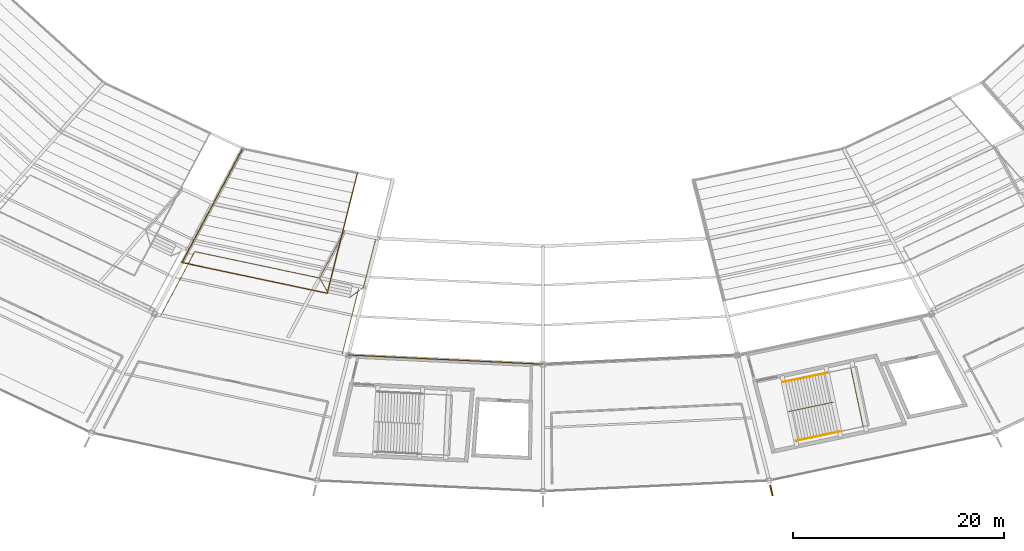
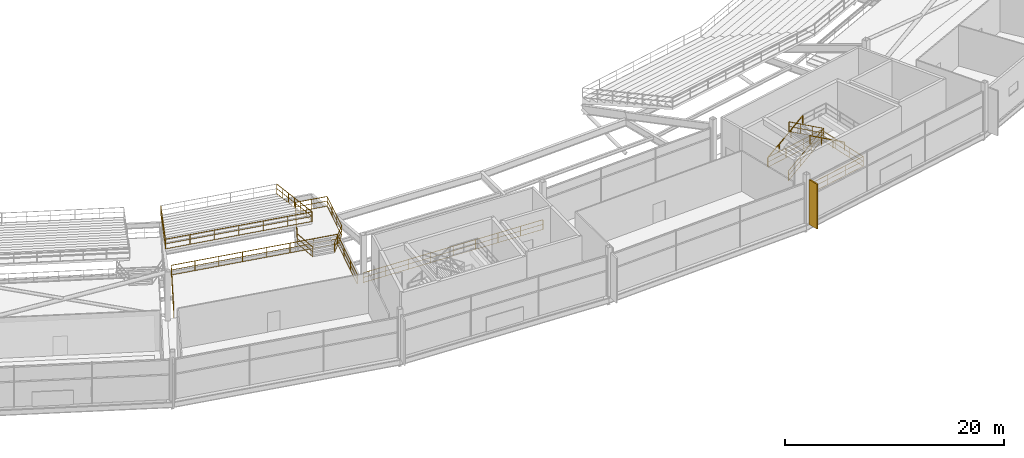
# One storey, part 172 of 186: 10 railings, 1 shading device.
"""IFC4 building model written with IfcOpenShell, lengths in metres."""

from ifc_helpers import new_model, si_unit, direction, frame, origin, origin_2d, place, context, subcontext, project, spatial, rectangle, extrude, material, type_object, element, save


model = new_model("IFC4")

# Units and contexts
model_context = context("Model", 3, precision=1e-05, world=origin(), true_north=direction((0.0, 1.0)))
body_context = subcontext(model_context, "Body", "Model", "MODEL_VIEW")
ifc_project = project(units=[si_unit("LENGTHUNIT", "METRE"), si_unit("AREAUNIT", "SQUARE_METRE"), si_unit("VOLUMEUNIT", "CUBIC_METRE"), si_unit("PLANEANGLEUNIT", "RADIAN"), si_unit("MASSUNIT", "GRAM", prefix="KILO")], contexts=[model_context])

# Site, building, storey
site_placement = place(None, origin())
site = spatial("IfcSite", under=ifc_project, at=site_placement, CompositionType="ELEMENT")
building_placement = place(site_placement, origin())
building = spatial("IfcBuilding", under=site, at=building_placement, Name="Kazemori Nagisa Stadium", CompositionType="ELEMENT")
storey_placement = place(building_placement, frame((0.0, 0.0, 20.39990234375)))
storey = spatial("IfcBuildingStorey", under=building, at=storey_placement, Name="L04", CompositionType="ELEMENT", Elevation=20.39990234375)

# Shading device
ifc_material_1 = material(Name="Aluminium 6063-T5 anodised", Category="aluminium")
shading_device_type = type_object("IfcShadingDeviceType", Name="Fin_FN03", PredefinedType="USERDEFINED", material=ifc_material_1)
shading_device_placement = place(storey_placement, frame((144.64013671875, 16.08203125, 0.0), z_axis=(0.0, 0.0, 1.0), x_axis=(0.222520933954, -0.974927912182, 0.0)))
element("IfcShadingDevice", 1, at=shading_device_placement, inside=storey, type_object=shading_device_type, Name="Aerodynamic wave shading fin L04-23", ObjectType="FIN", PredefinedType="USERDEFINED", context=body_context, shape_type="SweptSolid", body=[
    extrude(rectangle(XDim=1.050048828125, YDim=0.139892578125, at=origin_2d()), origin(), (0.0, 0.0, 1.0), 5.0),
])

# Railings
ifc_material_2 = material(Name="Laminated safety glass and stainless steel SUS304", Category="steel")
railing_type_1 = type_object("IfcRailingType", Name="Rail_BAL", PredefinedType="BALUSTRADE", material=ifc_material_2)
railing_1_placement = place(storey_placement, frame((86.77490234375, 32.676513671875, 0.0)))
element("IfcRailing", 2, at=railing_1_placement, inside=storey, type_object=railing_type_1, Name="Upper vomitory lobby balustrade B20", PredefinedType="BALUSTRADE", context=body_context, shape_type="SweptSolid", body=[
    extrude(rectangle(XDim=0.050048828125, YDim=0.050048828125, at=origin_2d()), frame((0.0, 0.0, 1.09521484375), z_axis=(0.46965739608, 0.882848758456, 0.0), x_axis=(-0.882848758456, 0.46965739608, 0.0)), (0.0, 0.0, 1.0), 6.835693359375),
    extrude(rectangle(XDim=0.03759765625, YDim=0.03759765625, at=origin_2d()), frame((0.0, 0.0, 0.58251953125), z_axis=(0.46965739608, 0.882848758456, 0.0), x_axis=(-0.882848758456, 0.46965739608, 0.0)), (0.0, 0.0, 1.0), 6.835693359375),
    extrude(rectangle(XDim=0.03759765625, YDim=0.03759765625, at=origin_2d()), frame((0.0, 0.0, 0.02490234375), z_axis=(0.46965739608, 0.882848758456, 0.0), x_axis=(-0.882848758456, 0.46965739608, 0.0)), (0.0, 0.0, 1.0), 6.835693359375),
    extrude(rectangle(XDim=0.050048828125, YDim=0.050048828125, at=origin_2d()), frame((3.21044921875, 6.034912109375, 1.09521484375), z_axis=(0.978342909106, -0.206990705592, 0.0), x_axis=(0.206990705592, 0.978342909106, 0.0)), (0.0, 0.0, 1.0), 15.952392578125),
    extrude(rectangle(XDim=0.03759765625, YDim=0.03759765625, at=origin_2d()), frame((3.21044921875, 6.034912109375, 0.58251953125), z_axis=(0.978342909106, -0.206990705592, 0.0), x_axis=(0.206990705592, 0.978342909106, 0.0)), (0.0, 0.0, 1.0), 15.952392578125),
    extrude(rectangle(XDim=0.03759765625, YDim=0.03759765625, at=origin_2d()), frame((3.21044921875, 6.034912109375, 0.02490234375), z_axis=(0.978342909106, -0.206990705592, 0.0), x_axis=(0.206990705592, 0.978342909106, 0.0)), (0.0, 0.0, 1.0), 15.952392578125),
    extrude(rectangle(XDim=0.050048828125, YDim=0.050048828125, at=origin_2d()), frame((18.8173828125, 2.73291015625, 1.09521484375), z_axis=(-0.244492627854, -0.969651151149, 0.0), x_axis=(0.969651151149, -0.244492627854, 0.0)), (0.0, 0.0, 1.0), 6.573486328125),
    extrude(rectangle(XDim=0.03759765625, YDim=0.03759765625, at=origin_2d()), frame((18.8173828125, 2.73291015625, 0.58251953125), z_axis=(-0.244492627854, -0.969651151149, 0.0), x_axis=(0.969651151149, -0.244492627854, 0.0)), (0.0, 0.0, 1.0), 6.573486328125),
    extrude(rectangle(XDim=0.03759765625, YDim=0.03759765625, at=origin_2d()), frame((18.8173828125, 2.73291015625, 0.02490234375), z_axis=(-0.244492627854, -0.969651151149, 0.0), x_axis=(0.969651151149, -0.244492627854, 0.0)), (0.0, 0.0, 1.0), 6.573486328125),
    extrude(rectangle(XDim=0.044921875, YDim=0.044921875, at=origin_2d()), origin(), (0.0, 0.0, 1.0), 1.070068359375),
    extrude(rectangle(XDim=0.044921875, YDim=0.044921875, at=origin_2d()), frame((1.070068359375, 2.01171875, 0.0)), (0.0, 0.0, 1.0), 1.070068359375),
    extrude(rectangle(XDim=0.044921875, YDim=0.044921875, at=origin_2d()), frame((2.140380859375, 4.023193359375, 0.0)), (0.0, 0.0, 1.0), 1.070068359375),
    extrude(rectangle(XDim=0.044921875, YDim=0.044921875, at=origin_2d()), frame((3.21044921875, 6.034912109375, 0.0)), (0.0, 0.0, 1.0), 1.070068359375),
    extrude(rectangle(XDim=0.044921875, YDim=0.044921875, at=origin_2d()), frame((5.43994140625, 5.563232421875, 0.0)), (0.0, 0.0, 1.0), 1.070068359375),
    extrude(rectangle(XDim=0.044921875, YDim=0.044921875, at=origin_2d()), frame((7.669677734375, 5.091552734375, 0.0)), (0.0, 0.0, 1.0), 1.070068359375),
    extrude(rectangle(XDim=0.044921875, YDim=0.044921875, at=origin_2d()), frame((9.899169921875, 4.619873046875, 0.0)), (0.0, 0.0, 1.0), 1.070068359375),
    extrude(rectangle(XDim=0.044921875, YDim=0.044921875, at=origin_2d()), frame((12.128662109375, 4.14794921875, 0.0)), (0.0, 0.0, 1.0), 1.070068359375),
    extrude(rectangle(XDim=0.044921875, YDim=0.044921875, at=origin_2d()), frame((14.358154296875, 3.67626953125, 0.0)), (0.0, 0.0, 1.0), 1.070068359375),
    extrude(rectangle(XDim=0.044921875, YDim=0.044921875, at=origin_2d()), frame((16.587890625, 3.20458984375, 0.0)), (0.0, 0.0, 1.0), 1.070068359375),
    extrude(rectangle(XDim=0.044921875, YDim=0.044921875, at=origin_2d()), frame((18.8173828125, 2.73291015625, 0.0)), (0.0, 0.0, 1.0), 1.070068359375),
    extrude(rectangle(XDim=0.044921875, YDim=0.044921875, at=origin_2d()), frame((18.28173828125, 0.608154296875, 0.0)), (0.0, 0.0, 1.0), 1.070068359375),
    extrude(rectangle(XDim=0.044921875, YDim=0.044921875, at=origin_2d()), frame((17.745849609375, -1.516357421875, 0.0)), (0.0, 0.0, 1.0), 1.070068359375),
    extrude(rectangle(XDim=0.044921875, YDim=0.044921875, at=origin_2d()), frame((17.210205078125, -3.64111328125, 0.0)), (0.0, 0.0, 1.0), 1.070068359375),
])
railing_2_placement = place(storey_placement, frame((104.572265625, 28.911376953125, 0.0)))
element("IfcRailing", 3, at=railing_2_placement, inside=storey, type_object=railing_type_1, Name="Upper concourse balustrade L04-B21", PredefinedType="BALUSTRADE", context=body_context, shape_type="SweptSolid", body=[
    extrude(rectangle(XDim=0.050048828125, YDim=0.050048828125, at=origin_2d()), frame((0.0, 0.0, 1.09521484375), z_axis=(0.9988839804, -0.047231278829, 0.0), x_axis=(0.047231278829, 0.9988839804, 0.0)), (0.0, 0.0, 1.0), 18.4482421875),
    extrude(rectangle(XDim=0.03759765625, YDim=0.03759765625, at=origin_2d()), frame((0.0, 0.0, 0.58251953125), z_axis=(0.9988839804, -0.047231278829, 0.0), x_axis=(0.047231278829, 0.9988839804, 0.0)), (0.0, 0.0, 1.0), 18.4482421875),
    extrude(rectangle(XDim=0.03759765625, YDim=0.03759765625, at=origin_2d()), frame((0.0, 0.0, 0.02490234375), z_axis=(0.9988839804, -0.047231278829, 0.0), x_axis=(0.047231278829, 0.9988839804, 0.0)), (0.0, 0.0, 1.0), 18.4482421875),
    extrude(rectangle(XDim=0.044921875, YDim=0.044921875, at=origin_2d()), origin(), (0.0, 0.0, 1.0), 1.070068359375),
    extrude(rectangle(XDim=0.044921875, YDim=0.044921875, at=origin_2d()), frame((2.303466796875, -0.10888671875, 0.0)), (0.0, 0.0, 1.0), 1.070068359375),
    extrude(rectangle(XDim=0.044921875, YDim=0.044921875, at=origin_2d()), frame((4.60693359375, -0.2177734375, 0.0)), (0.0, 0.0, 1.0), 1.070068359375),
    extrude(rectangle(XDim=0.044921875, YDim=0.044921875, at=origin_2d()), frame((6.910400390625, -0.32666015625, 0.0)), (0.0, 0.0, 1.0), 1.070068359375),
    extrude(rectangle(XDim=0.044921875, YDim=0.044921875, at=origin_2d()), frame((9.2138671875, -0.435546875, 0.0)), (0.0, 0.0, 1.0), 1.070068359375),
    extrude(rectangle(XDim=0.044921875, YDim=0.044921875, at=origin_2d()), frame((11.517333984375, -0.544677734375, 0.0)), (0.0, 0.0, 1.0), 1.070068359375),
    extrude(rectangle(XDim=0.044921875, YDim=0.044921875, at=origin_2d()), frame((13.82080078125, -0.653564453125, 0.0)), (0.0, 0.0, 1.0), 1.070068359375),
    extrude(rectangle(XDim=0.044921875, YDim=0.044921875, at=origin_2d()), frame((16.124267578125, -0.762451171875, 0.0)), (0.0, 0.0, 1.0), 1.070068359375),
    extrude(rectangle(XDim=0.044921875, YDim=0.044921875, at=origin_2d()), frame((18.427734375, -0.871337890625, 0.0)), (0.0, 0.0, 1.0), 1.070068359375),
])
ifc_material_3 = material(Name="Galvanised powder-coated steel", Category="steel")
railing_type_2 = type_object("IfcRailingType", Name="Rail_GUARD", PredefinedType="GUARDRAIL", material=ifc_material_3)
railing_3_placement = place(storey_placement, frame((145.77685546875, 26.353271484375, 0.0)))
element("IfcRailing", 4, at=railing_3_placement, inside=storey, type_object=railing_type_2, Name="Stair well perimeter guard ST06-L04", PredefinedType="GUARDRAIL", context=body_context, shape_type="SweptSolid", body=[
    extrude(rectangle(XDim=0.050048828125, YDim=0.050048828125, at=origin_2d()), frame((0.0, 0.0, 1.09521484375), z_axis=(0.978352034103, 0.20694757154, 0.0), x_axis=(-0.20694757154, 0.978352034103, 0.0)), (0.0, 0.0, 1.0), 6.525146484375),
    extrude(rectangle(XDim=0.03759765625, YDim=0.03759765625, at=origin_2d()), frame((0.0, 0.0, 0.58251953125), z_axis=(0.978352034103, 0.20694757154, 0.0), x_axis=(-0.20694757154, 0.978352034103, 0.0)), (0.0, 0.0, 1.0), 6.525146484375),
    extrude(rectangle(XDim=0.03759765625, YDim=0.03759765625, at=origin_2d()), frame((0.0, 0.0, 0.02490234375), z_axis=(0.978352034103, 0.20694757154, 0.0), x_axis=(-0.20694757154, 0.978352034103, 0.0)), (0.0, 0.0, 1.0), 6.525146484375),
    extrude(rectangle(XDim=0.050048828125, YDim=0.050048828125, at=origin_2d()), frame((6.3837890625, 1.350341796875, 1.09521484375), z_axis=(0.206968840618, -0.978347534884, 0.0), x_axis=(0.978347534884, 0.206968840618, 0.0)), (0.0, 0.0, 1.0), 5.699951171875),
    extrude(rectangle(XDim=0.03759765625, YDim=0.03759765625, at=origin_2d()), frame((6.3837890625, 1.350341796875, 0.58251953125), z_axis=(0.206968840618, -0.978347534884, 0.0), x_axis=(0.978347534884, 0.206968840618, 0.0)), (0.0, 0.0, 1.0), 5.699951171875),
    extrude(rectangle(XDim=0.03759765625, YDim=0.03759765625, at=origin_2d()), frame((6.3837890625, 1.350341796875, 0.02490234375), z_axis=(0.206968840618, -0.978347534884, 0.0), x_axis=(0.978347534884, 0.206968840618, 0.0)), (0.0, 0.0, 1.0), 5.699951171875),
    extrude(rectangle(XDim=0.050048828125, YDim=0.050048828125, at=origin_2d()), frame((7.5634765625, -4.22607421875, 1.09521484375), z_axis=(-0.978342854937, -0.206990961621, 0.0), x_axis=(0.206990961621, -0.978342854937, 0.0)), (0.0, 0.0, 1.0), 6.52490234375),
    extrude(rectangle(XDim=0.03759765625, YDim=0.03759765625, at=origin_2d()), frame((7.5634765625, -4.22607421875, 0.58251953125), z_axis=(-0.978342854937, -0.206990961621, 0.0), x_axis=(0.206990961621, -0.978342854937, 0.0)), (0.0, 0.0, 1.0), 6.52490234375),
    extrude(rectangle(XDim=0.03759765625, YDim=0.03759765625, at=origin_2d()), frame((7.5634765625, -4.22607421875, 0.02490234375), z_axis=(-0.978342854937, -0.206990961621, 0.0), x_axis=(0.206990961621, -0.978342854937, 0.0)), (0.0, 0.0, 1.0), 6.52490234375),
    extrude(rectangle(XDim=0.044921875, YDim=0.044921875, at=origin_2d()), origin(), (0.0, 0.0, 1.0), 1.070068359375),
    extrude(rectangle(XDim=0.044921875, YDim=0.044921875, at=origin_2d()), frame((2.1279296875, 0.4501953125, 0.0)), (0.0, 0.0, 1.0), 1.070068359375),
    extrude(rectangle(XDim=0.044921875, YDim=0.044921875, at=origin_2d()), frame((4.255859375, 0.900146484375, 0.0)), (0.0, 0.0, 1.0), 1.070068359375),
    extrude(rectangle(XDim=0.044921875, YDim=0.044921875, at=origin_2d()), frame((6.3837890625, 1.350341796875, 0.0)), (0.0, 0.0, 1.0), 1.070068359375),
    extrude(rectangle(XDim=0.044921875, YDim=0.044921875, at=origin_2d()), frame((6.777099609375, -0.508544921875, 0.0)), (0.0, 0.0, 1.0), 1.070068359375),
    extrude(rectangle(XDim=0.044921875, YDim=0.044921875, at=origin_2d()), frame((7.170166015625, -2.3671875, 0.0)), (0.0, 0.0, 1.0), 1.070068359375),
    extrude(rectangle(XDim=0.044921875, YDim=0.044921875, at=origin_2d()), frame((7.5634765625, -4.22607421875, 0.0)), (0.0, 0.0, 1.0), 1.070068359375),
    extrude(rectangle(XDim=0.044921875, YDim=0.044921875, at=origin_2d()), frame((5.435546875, -4.67626953125, 0.0)), (0.0, 0.0, 1.0), 1.070068359375),
    extrude(rectangle(XDim=0.044921875, YDim=0.044921875, at=origin_2d()), frame((3.307861328125, -5.12646484375, 0.0)), (0.0, 0.0, 1.0), 1.070068359375),
    extrude(rectangle(XDim=0.044921875, YDim=0.044921875, at=origin_2d()), frame((1.179931640625, -5.57666015625, 0.0)), (0.0, 0.0, 1.0), 1.070068359375),
])
railing_4_placement = place(storey_placement, frame((146.28857421875, 23.54833984375, 0.0)))
element("IfcRailing", 5, at=railing_4_placement, inside=storey, type_object=railing_type_2, Name="Stair central guard ST06-L04", PredefinedType="GUARDRAIL", context=body_context, shape_type="SweptSolid", body=[
    extrude(rectangle(XDim=0.050048828125, YDim=0.050048828125, at=origin_2d()), frame((0.0, 0.0, 1.09521484375), z_axis=(0.828150120123, 0.175225116294, 0.532412938573), x_axis=(-0.207003271495, 0.978340250419, 0.0)), (0.0, 0.0, 1.0), 5.109130859375),
    extrude(rectangle(XDim=0.03759765625, YDim=0.03759765625, at=origin_2d()), frame((0.0, 0.0, 0.58251953125), z_axis=(0.828150120123, 0.175225116294, 0.532412938573), x_axis=(-0.207003271495, 0.978340250419, 0.0)), (0.0, 0.0, 1.0), 5.109130859375),
    extrude(rectangle(XDim=0.03759765625, YDim=0.03759765625, at=origin_2d()), frame((0.0, 0.0, 0.02490234375), z_axis=(0.828150120123, 0.175225116294, 0.532412938573), x_axis=(-0.207003271495, 0.978340250419, 0.0)), (0.0, 0.0, 1.0), 5.109130859375),
    extrude(rectangle(XDim=0.050048828125, YDim=0.050048828125, at=origin_2d()), frame((4.231201171875, 0.895263671875, 3.8154296875), z_axis=(-0.823751834377, -0.174280339305, 0.539499099806), x_axis=(0.206987174116, -0.978343656264, 0.0)), (0.0, 0.0, 1.0), 5.041748046875),
    extrude(rectangle(XDim=0.03759765625, YDim=0.03759765625, at=origin_2d()), frame((4.231201171875, 0.895263671875, 3.302734375), z_axis=(-0.823751834377, -0.174280339305, 0.539499099806), x_axis=(0.206987174116, -0.978343656264, 0.0)), (0.0, 0.0, 1.0), 5.041748046875),
    extrude(rectangle(XDim=0.03759765625, YDim=0.03759765625, at=origin_2d()), frame((4.231201171875, 0.895263671875, 2.7451171875), z_axis=(-0.823751834377, -0.174280339305, 0.539499099806), x_axis=(0.206987174116, -0.978343656264, 0.0)), (0.0, 0.0, 1.0), 5.041748046875),
    extrude(rectangle(XDim=0.044921875, YDim=0.044921875, at=origin_2d()), origin(), (0.0, 0.0, 1.0), 1.070068359375),
    extrude(rectangle(XDim=0.044921875, YDim=0.044921875, at=origin_2d()), frame((1.410400390625, 0.29833984375, 0.90673828125)), (0.0, 0.0, 1.0), 1.070068359375),
    extrude(rectangle(XDim=0.044921875, YDim=0.044921875, at=origin_2d()), frame((2.82080078125, 0.596923828125, 1.8134765625)), (0.0, 0.0, 1.0), 1.070068359375),
    extrude(rectangle(XDim=0.044921875, YDim=0.044921875, at=origin_2d()), frame((4.231201171875, 0.895263671875, 2.72021484375)), (0.0, 0.0, 1.0), 1.070068359375),
    extrude(rectangle(XDim=0.044921875, YDim=0.044921875, at=origin_2d()), frame((2.846923828125, 0.602294921875, 3.626953125)), (0.0, 0.0, 1.0), 1.070068359375),
    extrude(rectangle(XDim=0.044921875, YDim=0.044921875, at=origin_2d()), frame((1.46240234375, 0.3095703125, 4.533447265625)), (0.0, 0.0, 1.0), 1.070068359375),
    extrude(rectangle(XDim=0.044921875, YDim=0.044921875, at=origin_2d()), frame((0.078125, 0.0166015625, 5.440185546875)), (0.0, 0.0, 1.0), 1.070068359375),
])
railing_5_placement = place(storey_placement, frame((102.6259765625, 34.80029296875, 0.0)))
element("IfcRailing", 6, at=railing_5_placement, inside=storey, type_object=railing_type_2, Name="Vomitory upper portal guard VU09", PredefinedType="GUARDRAIL", context=body_context, shape_type="SweptSolid", body=[
    extrude(rectangle(XDim=0.050048828125, YDim=0.050048828125, at=origin_2d()), frame((0.0, 0.0, 1.09521484375), z_axis=(-0.435199093202, 0.763221301655, 0.477592916589), x_axis=(-0.868697465409, -0.495343026188, 0.0)), (0.0, 0.0, 1.0), 1.8427734375),
    extrude(rectangle(XDim=0.03759765625, YDim=0.03759765625, at=origin_2d()), frame((0.0, 0.0, 0.58251953125), z_axis=(-0.435199093202, 0.763221301655, 0.477592916589), x_axis=(-0.868697465409, -0.495343026188, 0.0)), (0.0, 0.0, 1.0), 1.8427734375),
    extrude(rectangle(XDim=0.03759765625, YDim=0.03759765625, at=origin_2d()), frame((0.0, 0.0, 0.02490234375), z_axis=(-0.435199093202, 0.763221301655, 0.477592916589), x_axis=(-0.868697465409, -0.495343026188, 0.0)), (0.0, 0.0, 1.0), 1.8427734375),
    extrude(rectangle(XDim=0.050048828125, YDim=0.050048828125, at=origin_2d()), frame((-0.802001953125, 1.406494140625, 1.97509765625), z_axis=(0.469650127636, 0.882852625081, 0.0), x_axis=(-0.882852625081, 0.469650127636, 0.0)), (0.0, 0.0, 1.0), 5.0126953125),
    extrude(rectangle(XDim=0.03759765625, YDim=0.03759765625, at=origin_2d()), frame((-0.802001953125, 1.406494140625, 1.462646484375), z_axis=(0.469650127636, 0.882852625081, 0.0), x_axis=(-0.882852625081, 0.469650127636, 0.0)), (0.0, 0.0, 1.0), 5.0126953125),
    extrude(rectangle(XDim=0.03759765625, YDim=0.03759765625, at=origin_2d()), frame((-0.802001953125, 1.406494140625, 0.9052734375), z_axis=(0.469650127636, 0.882852625081, 0.0), x_axis=(-0.882852625081, 0.469650127636, 0.0)), (0.0, 0.0, 1.0), 5.0126953125),
    extrude(rectangle(XDim=0.050048828125, YDim=0.050048828125, at=origin_2d()), frame((1.55224609375, 5.83203125, 1.97509765625), z_axis=(0.978340351441, -0.207002794046, 0.0), x_axis=(0.207002794046, 0.978340351441, 0.0)), (0.0, 0.0, 1.0), 3.050048828125),
    extrude(rectangle(XDim=0.03759765625, YDim=0.03759765625, at=origin_2d()), frame((1.55224609375, 5.83203125, 1.462646484375), z_axis=(0.978340351441, -0.207002794046, 0.0), x_axis=(0.207002794046, 0.978340351441, 0.0)), (0.0, 0.0, 1.0), 3.050048828125),
    extrude(rectangle(XDim=0.03759765625, YDim=0.03759765625, at=origin_2d()), frame((1.55224609375, 5.83203125, 0.9052734375), z_axis=(0.978340351441, -0.207002794046, 0.0), x_axis=(0.207002794046, 0.978340351441, 0.0)), (0.0, 0.0, 1.0), 3.050048828125),
    extrude(rectangle(XDim=0.050048828125, YDim=0.050048828125, at=origin_2d()), frame((4.5361328125, 5.20068359375, 1.97509765625), z_axis=(-0.244465630583, -0.969657957975, 0.0), x_axis=(0.969657957975, -0.244465630583, 0.0)), (0.0, 0.0, 1.0), 4.820556640625),
    extrude(rectangle(XDim=0.03759765625, YDim=0.03759765625, at=origin_2d()), frame((4.5361328125, 5.20068359375, 1.462646484375), z_axis=(-0.244465630583, -0.969657957975, 0.0), x_axis=(0.969657957975, -0.244465630583, 0.0)), (0.0, 0.0, 1.0), 4.820556640625),
    extrude(rectangle(XDim=0.03759765625, YDim=0.03759765625, at=origin_2d()), frame((4.5361328125, 5.20068359375, 0.9052734375), z_axis=(-0.244465630583, -0.969657957975, 0.0), x_axis=(0.969657957975, -0.244465630583, 0.0)), (0.0, 0.0, 1.0), 4.820556640625),
    extrude(rectangle(XDim=0.050048828125, YDim=0.050048828125, at=origin_2d()), frame((3.357666015625, 0.5263671875, 1.97509765625), z_axis=(-0.707078531942, -0.521465449077, -0.477612536566), x_axis=(0.593538482454, -0.804805609974, 0.0)), (0.0, 0.0, 1.0), 1.8427734375),
    extrude(rectangle(XDim=0.03759765625, YDim=0.03759765625, at=origin_2d()), frame((3.357666015625, 0.5263671875, 1.462646484375), z_axis=(-0.707078531942, -0.521465449077, -0.477612536566), x_axis=(0.593538482454, -0.804805609974, 0.0)), (0.0, 0.0, 1.0), 1.8427734375),
    extrude(rectangle(XDim=0.03759765625, YDim=0.03759765625, at=origin_2d()), frame((3.357666015625, 0.5263671875, 0.9052734375), z_axis=(-0.707078531942, -0.521465449077, -0.477612536566), x_axis=(0.593538482454, -0.804805609974, 0.0)), (0.0, 0.0, 1.0), 1.8427734375),
    extrude(rectangle(XDim=0.044921875, YDim=0.044921875, at=origin_2d()), origin(), (0.0, 0.0, 1.0), 1.070068359375),
    extrude(rectangle(XDim=0.044921875, YDim=0.044921875, at=origin_2d()), frame((-0.802001953125, 1.406494140625, 0.880126953125)), (0.0, 0.0, 1.0), 1.070068359375),
    extrude(rectangle(XDim=0.044921875, YDim=0.044921875, at=origin_2d()), frame((-0.017333984375, 2.881591796875, 0.880126953125)), (0.0, 0.0, 1.0), 1.070068359375),
    extrude(rectangle(XDim=0.044921875, YDim=0.044921875, at=origin_2d()), frame((0.767578125, 4.35693359375, 0.880126953125)), (0.0, 0.0, 1.0), 1.070068359375),
    extrude(rectangle(XDim=0.044921875, YDim=0.044921875, at=origin_2d()), frame((1.55224609375, 5.83203125, 0.880126953125)), (0.0, 0.0, 1.0), 1.070068359375),
    extrude(rectangle(XDim=0.044921875, YDim=0.044921875, at=origin_2d()), frame((3.044189453125, 5.516357421875, 0.880126953125)), (0.0, 0.0, 1.0), 1.070068359375),
    extrude(rectangle(XDim=0.044921875, YDim=0.044921875, at=origin_2d()), frame((4.5361328125, 5.20068359375, 0.880126953125)), (0.0, 0.0, 1.0), 1.070068359375),
    extrude(rectangle(XDim=0.044921875, YDim=0.044921875, at=origin_2d()), frame((4.143310546875, 3.642578125, 0.880126953125)), (0.0, 0.0, 1.0), 1.070068359375),
    extrude(rectangle(XDim=0.044921875, YDim=0.044921875, at=origin_2d()), frame((3.75048828125, 2.08447265625, 0.880126953125)), (0.0, 0.0, 1.0), 1.070068359375),
    extrude(rectangle(XDim=0.044921875, YDim=0.044921875, at=origin_2d()), frame((3.357666015625, 0.5263671875, 0.880126953125)), (0.0, 0.0, 1.0), 1.070068359375),
    extrude(rectangle(XDim=0.044921875, YDim=0.044921875, at=origin_2d()), frame((2.0546875, -0.4345703125, 0.0)), (0.0, 0.0, 1.0), 1.070068359375),
])
railing_6_placement = place(storey_placement, frame((88.781982421875, 37.6767578125, 3.960205078125)))
element("IfcRailing", 7, at=railing_6_placement, inside=storey, type_object=railing_type_2, Name="Upper tier rear guard B20", PredefinedType="GUARDRAIL", context=body_context, shape_type="SweptSolid", body=[
    extrude(rectangle(XDim=0.050048828125, YDim=0.050048828125, at=origin_2d()), frame((0.0, 0.0, 1.09521484375), z_axis=(0.978348419098, -0.206964660867, 0.0), x_axis=(0.206964660867, 0.978348419098, 0.0)), (0.0, 0.0, 1.0), 14.067138671875),
    extrude(rectangle(XDim=0.03759765625, YDim=0.03759765625, at=origin_2d()), frame((0.0, 0.0, 0.58251953125), z_axis=(0.978348419098, -0.206964660867, 0.0), x_axis=(0.206964660867, 0.978348419098, 0.0)), (0.0, 0.0, 1.0), 14.067138671875),
    extrude(rectangle(XDim=0.03759765625, YDim=0.03759765625, at=origin_2d()), frame((0.0, 0.0, 0.02490234375), z_axis=(0.978348419098, -0.206964660867, 0.0), x_axis=(0.206964660867, 0.978348419098, 0.0)), (0.0, 0.0, 1.0), 14.067138671875),
    extrude(rectangle(XDim=0.044921875, YDim=0.044921875, at=origin_2d()), origin(), (0.0, 0.0, 1.0), 1.070068359375),
    extrude(rectangle(XDim=0.044921875, YDim=0.044921875, at=origin_2d()), frame((2.293701171875, -0.4853515625, 0.0)), (0.0, 0.0, 1.0), 1.070068359375),
    extrude(rectangle(XDim=0.044921875, YDim=0.044921875, at=origin_2d()), frame((4.58740234375, -0.970458984375, 0.0)), (0.0, 0.0, 1.0), 1.070068359375),
    extrude(rectangle(XDim=0.044921875, YDim=0.044921875, at=origin_2d()), frame((6.88134765625, -1.45556640625, 0.0)), (0.0, 0.0, 1.0), 1.070068359375),
    extrude(rectangle(XDim=0.044921875, YDim=0.044921875, at=origin_2d()), frame((9.175048828125, -1.94091796875, 0.0)), (0.0, 0.0, 1.0), 1.070068359375),
    extrude(rectangle(XDim=0.044921875, YDim=0.044921875, at=origin_2d()), frame((11.46875, -2.42626953125, 0.0)), (0.0, 0.0, 1.0), 1.070068359375),
    extrude(rectangle(XDim=0.044921875, YDim=0.044921875, at=origin_2d()), frame((13.762451171875, -2.911376953125, 0.0)), (0.0, 0.0, 1.0), 1.070068359375),
])
railing_7_placement = place(storey_placement, frame((105.42431640625, 46.1875, -0.8798828125)))
element("IfcRailing", 8, at=railing_7_placement, inside=storey, type_object=railing_type_2, Name="Upper tier radial step guard B20R", PredefinedType="GUARDRAIL", context=body_context, shape_type="SweptSolid", body=[
    extrude(rectangle(XDim=0.050048828125, YDim=0.050048828125, at=origin_2d()), frame((0.0, 0.0, 1.09521484375), z_axis=(-0.226135891829, -0.896894515023, 0.380056294973), x_axis=(0.96965410336, -0.244480919167, 0.0)), (0.0, 0.0, 1.0), 12.735107421875),
    extrude(rectangle(XDim=0.03759765625, YDim=0.03759765625, at=origin_2d()), frame((0.0, 0.0, 0.58251953125), z_axis=(-0.226135891829, -0.896894515023, 0.380056294973), x_axis=(0.96965410336, -0.244480919167, 0.0)), (0.0, 0.0, 1.0), 12.735107421875),
    extrude(rectangle(XDim=0.03759765625, YDim=0.03759765625, at=origin_2d()), frame((0.0, 0.0, 0.02490234375), z_axis=(-0.226135891829, -0.896894515023, 0.380056294973), x_axis=(0.96965410336, -0.244480919167, 0.0)), (0.0, 0.0, 1.0), 12.735107421875),
    extrude(rectangle(XDim=0.044921875, YDim=0.044921875, at=origin_2d()), origin(), (0.0, 0.0, 1.0), 1.070068359375),
    extrude(rectangle(XDim=0.044921875, YDim=0.044921875, at=origin_2d()), frame((-0.47998046875, -1.90380859375, 0.806640625)), (0.0, 0.0, 1.0), 1.070068359375),
    extrude(rectangle(XDim=0.044921875, YDim=0.044921875, at=origin_2d()), frame((-0.9599609375, -3.807373046875, 1.61328125)), (0.0, 0.0, 1.0), 1.070068359375),
    extrude(rectangle(XDim=0.044921875, YDim=0.044921875, at=origin_2d()), frame((-1.43994140625, -5.7109375, 2.419921875)), (0.0, 0.0, 1.0), 1.070068359375),
    extrude(rectangle(XDim=0.044921875, YDim=0.044921875, at=origin_2d()), frame((-1.919921875, -7.61474609375, 3.226806640625)), (0.0, 0.0, 1.0), 1.070068359375),
    extrude(rectangle(XDim=0.044921875, YDim=0.044921875, at=origin_2d()), frame((-2.39990234375, -9.5185546875, 4.033447265625)), (0.0, 0.0, 1.0), 1.070068359375),
    extrude(rectangle(XDim=0.044921875, YDim=0.044921875, at=origin_2d()), frame((-2.8798828125, -11.422119140625, 4.840087890625)), (0.0, 0.0, 1.0), 1.070068359375),
])
railing_8_placement = place(storey_placement, frame((94.534912109375, 48.4912109375, -0.8798828125)))
element("IfcRailing", 9, at=railing_8_placement, inside=storey, type_object=railing_type_2, Name="Upper tier radial step guard B20L", PredefinedType="GUARDRAIL", context=body_context, shape_type="SweptSolid", body=[
    extrude(rectangle(XDim=0.050048828125, YDim=0.050048828125, at=origin_2d()), frame((0.0, 0.0, 1.09521484375), z_axis=(-0.436787859803, -0.82108109989, 0.36748087424), x_axis=(0.882853400094, -0.469648670756, 0.0)), (0.0, 0.0, 1.0), 13.1708984375),
    extrude(rectangle(XDim=0.03759765625, YDim=0.03759765625, at=origin_2d()), frame((0.0, 0.0, 0.58251953125), z_axis=(-0.436787859803, -0.82108109989, 0.36748087424), x_axis=(0.882853400094, -0.469648670756, 0.0)), (0.0, 0.0, 1.0), 13.1708984375),
    extrude(rectangle(XDim=0.03759765625, YDim=0.03759765625, at=origin_2d()), frame((0.0, 0.0, 0.02490234375), z_axis=(-0.436787859803, -0.82108109989, 0.36748087424), x_axis=(0.882853400094, -0.469648670756, 0.0)), (0.0, 0.0, 1.0), 13.1708984375),
    extrude(rectangle(XDim=0.044921875, YDim=0.044921875, at=origin_2d()), origin(), (0.0, 0.0, 1.0), 1.070068359375),
    extrude(rectangle(XDim=0.044921875, YDim=0.044921875, at=origin_2d()), frame((-0.958740234375, -1.802490234375, 0.806640625)), (0.0, 0.0, 1.0), 1.070068359375),
    extrude(rectangle(XDim=0.044921875, YDim=0.044921875, at=origin_2d()), frame((-1.917724609375, -3.604736328125, 1.61328125)), (0.0, 0.0, 1.0), 1.070068359375),
    extrude(rectangle(XDim=0.044921875, YDim=0.044921875, at=origin_2d()), frame((-2.87646484375, -5.4072265625, 2.419921875)), (0.0, 0.0, 1.0), 1.070068359375),
    extrude(rectangle(XDim=0.044921875, YDim=0.044921875, at=origin_2d()), frame((-3.835205078125, -7.209716796875, 3.226806640625)), (0.0, 0.0, 1.0), 1.070068359375),
    extrude(rectangle(XDim=0.044921875, YDim=0.044921875, at=origin_2d()), frame((-4.794189453125, -9.011962890625, 4.033447265625)), (0.0, 0.0, 1.0), 1.070068359375),
    extrude(rectangle(XDim=0.044921875, YDim=0.044921875, at=origin_2d()), frame((-5.7529296875, -10.814453125, 4.840087890625)), (0.0, 0.0, 1.0), 1.070068359375),
])
ifc_material_4 = material(Name="Stainless steel SUS304", Category="steel")
railing_type_3 = type_object("IfcRailingType", Name="Rail_HAND", PredefinedType="HANDRAIL", material=ifc_material_4)
railing_9_placement = place(storey_placement, frame((145.69873046875, 26.336669921875, 0.170166015625)))
element("IfcRailing", 10, at=railing_9_placement, inside=storey, type_object=railing_type_3, Name="Stair handrail ST06-L04-F1", PredefinedType="HANDRAIL", context=body_context, shape_type="SweptSolid", body=[
    extrude(rectangle(XDim=0.050048828125, YDim=0.050048828125, at=origin_2d()), frame((0.0, 0.0, 0.875), z_axis=(0.828178122726, 0.175183255318, 0.532383155345), x_axis=(-0.206949239158, 0.978351681356, 0.0)), (0.0, 0.0, 1.0), 5.109130859375),
    extrude(rectangle(XDim=0.044921875, YDim=0.044921875, at=origin_2d()), origin(), (0.0, 0.0, 1.0), 0.849853515625),
    extrude(rectangle(XDim=0.044921875, YDim=0.044921875, at=origin_2d()), frame((1.410400390625, 0.29833984375, 0.90673828125)), (0.0, 0.0, 1.0), 0.849853515625),
    extrude(rectangle(XDim=0.044921875, YDim=0.044921875, at=origin_2d()), frame((2.82080078125, 0.5966796875, 1.813232421875)), (0.0, 0.0, 1.0), 0.849853515625),
    extrude(rectangle(XDim=0.044921875, YDim=0.044921875, at=origin_2d()), frame((4.231201171875, 0.89501953125, 2.719970703125)), (0.0, 0.0, 1.0), 0.849853515625),
])
railing_10_placement = place(storey_placement, frame((151.10986328125, 21.6552734375, 2.89013671875)))
element("IfcRailing", 11, at=railing_10_placement, inside=storey, type_object=railing_type_3, Name="Stair handrail ST06-L04-F2", PredefinedType="HANDRAIL", context=body_context, shape_type="SweptSolid", body=[
    extrude(rectangle(XDim=0.050048828125, YDim=0.050048828125, at=origin_2d()), frame((0.0, 0.0, 0.875), z_axis=(-0.823751834377, -0.174280339305, 0.539499099806), x_axis=(0.206987174116, -0.978343656264, 0.0)), (0.0, 0.0, 1.0), 5.041748046875),
    extrude(rectangle(XDim=0.044921875, YDim=0.044921875, at=origin_2d()), origin(), (0.0, 0.0, 1.0), 0.849853515625),
    extrude(rectangle(XDim=0.044921875, YDim=0.044921875, at=origin_2d()), frame((-1.38427734375, -0.29296875, 0.90673828125)), (0.0, 0.0, 1.0), 0.849853515625),
    extrude(rectangle(XDim=0.044921875, YDim=0.044921875, at=origin_2d()), frame((-2.768798828125, -0.585693359375, 1.813232421875)), (0.0, 0.0, 1.0), 0.849853515625),
    extrude(rectangle(XDim=0.044921875, YDim=0.044921875, at=origin_2d()), frame((-4.153076171875, -0.878662109375, 2.719970703125)), (0.0, 0.0, 1.0), 0.849853515625),
])

save(model, "model.ifc")
